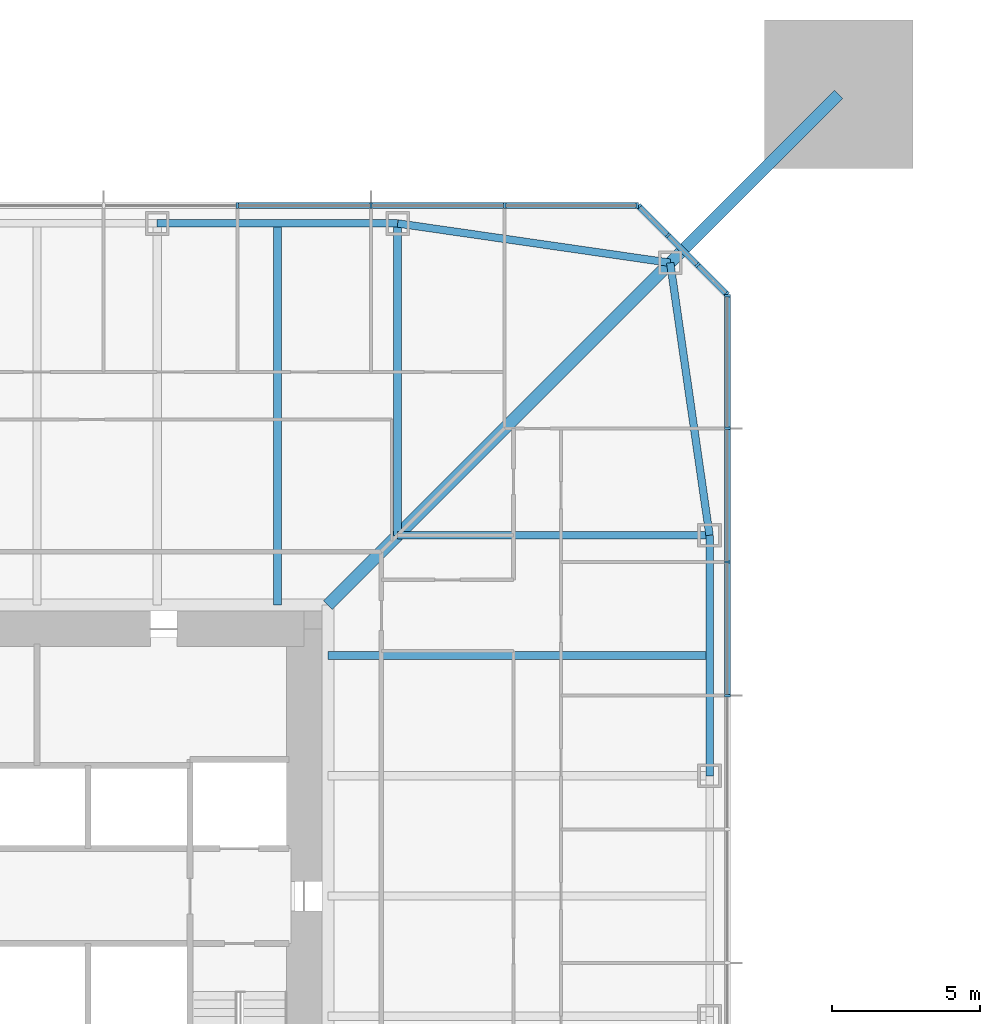
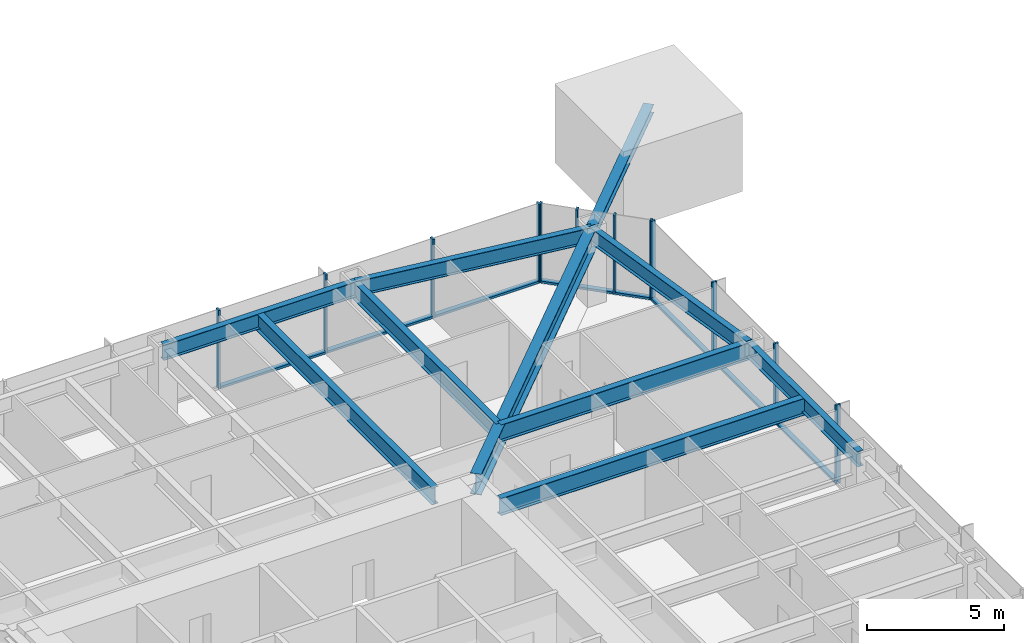
# One storey, part 7 of 26: 22 members, 9 beams, 3 elements without a shape of their own.
"""IFC4 building model written with IfcOpenShell, lengths in metres."""

from ifc_helpers import new_model, si_unit, direction, frame, origin, origin_2d, place, context, subcontext, project, spatial, rectangle, i_section, extrude, material, material_profile, profile_set, type_object, element, aggregate, save


model = new_model("IFC4")

# Units and contexts
model_context = context("Model", 3, precision=1e-05, world=origin(), true_north=direction((0.0, 1.0)))
body_context = subcontext(model_context, "Body", "Model", "MODEL_VIEW")
ifc_project = project(units=[si_unit("LENGTHUNIT", "METRE"), si_unit("AREAUNIT", "SQUARE_METRE"), si_unit("VOLUMEUNIT", "CUBIC_METRE"), si_unit("PLANEANGLEUNIT", "RADIAN"), si_unit("MASSUNIT", "GRAM", prefix="KILO")], contexts=[model_context])

# Site, building, storey
site_placement = place(None, origin())
site = spatial("IfcSite", under=ifc_project, at=site_placement, CompositionType="ELEMENT")
building_placement = place(site_placement, origin())
building = spatial("IfcBuilding", under=site, at=building_placement, Name="Iwan Alto Co-Living Towers", CompositionType="ELEMENT")
storey_placement = place(building_placement, frame((0.0, 0.0, 18.5)))
storey = spatial("IfcBuildingStorey", under=building, at=storey_placement, Name="L04", CompositionType="ELEMENT", Elevation=18.5)

# Curtain wall, members
ifc_material_1 = material(Name="Bronze aluminium unitised frame", Category="aluminium")
curtain_wall_type_1 = type_object("IfcCurtainWallType", Name="CURTAIN WALL CW-A", PredefinedType="NOTDEFINED", material=ifc_material_1)
curtain_wall_1_placement = place(storey_placement, origin())
curtain_wall_1 = element("IfcCurtainWall", 1, at=curtain_wall_1_placement, inside=storey, type_object=curtain_wall_type_1, Name="T1 curtain wall E L04", PredefinedType="NOTDEFINED")
ifc_material_2 = material(Name="Aluminium 6063-T6 bronze anodised", Category="aluminium")
ifc_material_profile_1 = material_profile(ifc_material_2, rectangle(XDim=0.199951171875, YDim=0.080078125, at=origin_2d()), Name="AL 80X200")
ifc_profile_set_1 = profile_set([ifc_material_profile_1], Name="Aluminium 6063-T6 bronze anodised")
member_type_1 = type_object("IfcMemberType", Name="CW-A MULLION 80X200", PredefinedType="MULLION", material=ifc_profile_set_1)
member_1_placement = place(storey_placement, frame((23.25, 6.75, 0.0), z_axis=(0.0, 0.0, 1.0), x_axis=(-1.0, 0.0, 0.0)))
member_1 = element("IfcMember", 2, at=member_1_placement, type_object=member_type_1, Name="CW-A mullion 7", PredefinedType="MULLION", context=body_context, shape_type="SweptSolid", body=[
    extrude(rectangle(XDim=0.199951171875, YDim=0.080078125, at=origin_2d()), origin(), (0.0, 0.0, 1.0), 3.5),
])
member_2_placement = place(storey_placement, frame((23.25, 11.25, 0.0), z_axis=(0.0, 0.0, 1.0), x_axis=(-1.0, 0.0, 0.0)))
member_2 = element("IfcMember", 3, at=member_2_placement, type_object=member_type_1, Name="CW-A mullion 8", PredefinedType="MULLION", context=body_context, shape_type="SweptSolid", body=[
    extrude(rectangle(XDim=0.199951171875, YDim=0.080078125, at=origin_2d()), origin(), (0.0, 0.0, 1.0), 3.5),
])
member_3_placement = place(storey_placement, frame((23.25, 15.75, 0.0), z_axis=(0.0, 0.0, 1.0), x_axis=(-1.0, 0.0, 0.0)))
member_3 = element("IfcMember", 4, at=member_3_placement, type_object=member_type_1, Name="CW-A mullion 9", PredefinedType="MULLION", context=body_context, shape_type="SweptSolid", body=[
    extrude(rectangle(XDim=0.199951171875, YDim=0.080078125, at=origin_2d()), origin(), (0.0, 0.0, 1.0), 3.5),
])
member_4_placement = place(storey_placement, frame((23.25, 20.2099609375, 0.0), z_axis=(0.0, 0.0, 1.0), x_axis=(-1.0, 0.0, 0.0)))
member_4 = element("IfcMember", 5, at=member_4_placement, type_object=member_type_1, Name="CW-A mullion 10", PredefinedType="MULLION", context=body_context, shape_type="SweptSolid", body=[
    extrude(rectangle(XDim=0.199951171875, YDim=0.080078125, at=origin_2d()), origin(), (0.0, 0.0, 1.0), 3.5),
])

curtain_wall_2_placement = place(storey_placement, origin())
curtain_wall_2 = element("IfcCurtainWall", 6, at=curtain_wall_2_placement, inside=storey, type_object=curtain_wall_type_1, Name="T1 curtain wall N L04", PredefinedType="NOTDEFINED")
member_5_placement = place(storey_placement, frame((20.2099609375, 23.25, 0.0), z_axis=(0.0, 0.0, 1.0), x_axis=(0.0, -1.0, 0.0)))
member_5 = element("IfcMember", 7, at=member_5_placement, type_object=member_type_1, Name="CW-A mullion 1", PredefinedType="MULLION", context=body_context, shape_type="SweptSolid", body=[
    extrude(rectangle(XDim=0.199951171875, YDim=0.080078125, at=origin_2d()), origin(), (0.0, 0.0, 1.0), 3.5),
])
member_6_placement = place(storey_placement, frame((15.75, 23.25, 0.0), z_axis=(0.0, 0.0, 1.0), x_axis=(0.0, -1.0, 0.0)))
member_6 = element("IfcMember", 8, at=member_6_placement, type_object=member_type_1, Name="CW-A mullion 2", PredefinedType="MULLION", context=body_context, shape_type="SweptSolid", body=[
    extrude(rectangle(XDim=0.199951171875, YDim=0.080078125, at=origin_2d()), origin(), (0.0, 0.0, 1.0), 3.5),
])
member_7_placement = place(storey_placement, frame((11.25, 23.25, 0.0), z_axis=(0.0, 0.0, 1.0), x_axis=(0.0, -1.0, 0.0)))
member_7 = element("IfcMember", 9, at=member_7_placement, type_object=member_type_1, Name="CW-A mullion 3", PredefinedType="MULLION", context=body_context, shape_type="SweptSolid", body=[
    extrude(rectangle(XDim=0.199951171875, YDim=0.080078125, at=origin_2d()), origin(), (0.0, 0.0, 1.0), 3.5),
])
member_8_placement = place(storey_placement, frame((6.75, 23.25, 0.0), z_axis=(0.0, 0.0, 1.0), x_axis=(0.0, -1.0, 0.0)))
member_8 = element("IfcMember", 10, at=member_8_placement, type_object=member_type_1, Name="CW-A mullion 4", PredefinedType="MULLION", context=body_context, shape_type="SweptSolid", body=[
    extrude(rectangle(XDim=0.199951171875, YDim=0.080078125, at=origin_2d()), origin(), (0.0, 0.0, 1.0), 3.5),
])

# Member
ifc_material_3 = material(Name="Aluminium 6063-T6 bronze anodised", Category="aluminium")
ifc_material_profile_2 = material_profile(ifc_material_3, rectangle(XDim=0.199951171875, YDim=0.10009765625, at=origin_2d()), Name="AL 200X100")
ifc_profile_set_2 = profile_set([ifc_material_profile_2], Name="Aluminium 6063-T6 bronze anodised")
member_type_2 = type_object("IfcMemberType", Name="CW-A TRANSOM 200X100", PredefinedType="USERDEFINED", material=ifc_profile_set_2)
member_9_placement = place(storey_placement, frame((23.25, 6.7900390625, 0.050048828125), z_axis=(0.0, 1.0, 0.0), x_axis=(-1.0, 0.0, 0.0)))
member_9 = element("IfcMember", 11, at=member_9_placement, type_object=member_type_2, Name="CW-A transom 7.1", ObjectType="TRANSOM", PredefinedType="USERDEFINED", context=body_context, shape_type="SweptSolid", body=[
    extrude(rectangle(XDim=0.199951171875, YDim=0.10009765625, at=origin_2d()), origin(), (0.0, 0.0, 1.0), 4.419921875),
])

member_10_placement = place(storey_placement, frame((23.25, 11.2900390625, 0.050048828125), z_axis=(0.0, 1.0, 0.0), x_axis=(-1.0, 0.0, 0.0)))
member_10 = element("IfcMember", 12, at=member_10_placement, type_object=member_type_2, Name="CW-A transom 8.1", ObjectType="TRANSOM", PredefinedType="USERDEFINED", context=body_context, shape_type="SweptSolid", body=[
    extrude(rectangle(XDim=0.199951171875, YDim=0.10009765625, at=origin_2d()), origin(), (0.0, 0.0, 1.0), 4.419921875),
])

member_11_placement = place(storey_placement, frame((23.25, 15.7900390625, 0.050048828125), z_axis=(0.0, 1.0, 0.0), x_axis=(-1.0, 0.0, 0.0)))
member_11 = element("IfcMember", 13, at=member_11_placement, type_object=member_type_2, Name="CW-A transom 9.1", ObjectType="TRANSOM", PredefinedType="USERDEFINED", context=body_context, shape_type="SweptSolid", body=[
    extrude(rectangle(XDim=0.199951171875, YDim=0.10009765625, at=origin_2d()), origin(), (0.0, 0.0, 1.0), 4.3798828125),
])

aggregate(curtain_wall_1, [member_1, member_2, member_3, member_4, member_9, member_10, member_11])

member_12_placement = place(storey_placement, frame((20.169921875, 23.25, 0.050048828125), z_axis=(-1.0, 0.0, 0.0), x_axis=(0.0, -1.0, 0.0)))
member_12 = element("IfcMember", 14, at=member_12_placement, type_object=member_type_2, Name="CW-A transom 1.1", ObjectType="TRANSOM", PredefinedType="USERDEFINED", context=body_context, shape_type="SweptSolid", body=[
    extrude(rectangle(XDim=0.199951171875, YDim=0.10009765625, at=origin_2d()), origin(), (0.0, 0.0, 1.0), 4.3798828125),
])

member_13_placement = place(storey_placement, frame((15.7099609375, 23.25, 0.050048828125), z_axis=(-1.0, 0.0, 0.0), x_axis=(0.0, -1.0, 0.0)))
member_13 = element("IfcMember", 15, at=member_13_placement, type_object=member_type_2, Name="CW-A transom 2.1", ObjectType="TRANSOM", PredefinedType="USERDEFINED", context=body_context, shape_type="SweptSolid", body=[
    extrude(rectangle(XDim=0.199951171875, YDim=0.10009765625, at=origin_2d()), origin(), (0.0, 0.0, 1.0), 4.419921875),
])

member_14_placement = place(storey_placement, frame((11.2099609375, 23.25, 0.050048828125), z_axis=(-1.0, 0.0, 0.0), x_axis=(0.0, -1.0, 0.0)))
member_14 = element("IfcMember", 16, at=member_14_placement, type_object=member_type_2, Name="CW-A transom 3.1", ObjectType="TRANSOM", PredefinedType="USERDEFINED", context=body_context, shape_type="SweptSolid", body=[
    extrude(rectangle(XDim=0.199951171875, YDim=0.10009765625, at=origin_2d()), origin(), (0.0, 0.0, 1.0), 4.419921875),
])

aggregate(curtain_wall_2, [member_5, member_6, member_7, member_8, member_12, member_13, member_14])

# Curtain wall, members
ifc_material_4 = material(Name="Bronze aluminium unitised frame", Category="aluminium")
curtain_wall_type_2 = type_object("IfcCurtainWallType", Name="CURTAIN WALL CW-B", PredefinedType="NOTDEFINED", material=ifc_material_4)
curtain_wall_3_placement = place(storey_placement, origin())
curtain_wall_3 = element("IfcCurtainWall", 17, at=curtain_wall_3_placement, inside=storey, type_object=curtain_wall_type_2, Name="T1 chamfer curtain wall NE L04", PredefinedType="NOTDEFINED")
ifc_material_5 = material(Name="Aluminium 6063-T6 bronze anodised", Category="aluminium")
ifc_material_profile_3 = material_profile(ifc_material_5, rectangle(XDim=0.199951171875, YDim=0.080078125, at=origin_2d()), Name="AL 80X200")
ifc_profile_set_3 = profile_set([ifc_material_profile_3], Name="Aluminium 6063-T6 bronze anodised")
member_type_3 = type_object("IfcMemberType", Name="CW-B MULLION 80X200", PredefinedType="MULLION", material=ifc_profile_set_3)
member_15_placement = place(storey_placement, frame((23.2216796875, 20.2783203125, 0.0), z_axis=(0.0, 0.0, 1.0), x_axis=(-0.707106781187, -0.707106781187, 0.0)))
member_15 = element("IfcMember", 18, at=member_15_placement, type_object=member_type_3, Name="CW-B mullion 1", PredefinedType="MULLION", context=body_context, shape_type="SweptSolid", body=[
    extrude(rectangle(XDim=0.199951171875, YDim=0.080078125, at=origin_2d()), origin(), (0.0, 0.0, 1.0), 3.5),
])
member_16_placement = place(storey_placement, frame((22.25, 21.25, 0.0), z_axis=(0.0, 0.0, 1.0), x_axis=(-0.707106781187, -0.707106781187, 0.0)))
member_16 = element("IfcMember", 19, at=member_16_placement, type_object=member_type_3, Name="CW-B mullion 2", PredefinedType="MULLION", context=body_context, shape_type="SweptSolid", body=[
    extrude(rectangle(XDim=0.199951171875, YDim=0.080078125, at=origin_2d()), origin(), (0.0, 0.0, 1.0), 3.5),
])
member_17_placement = place(storey_placement, frame((21.25, 22.25, 0.0), z_axis=(0.0, 0.0, 1.0), x_axis=(-0.707106781187, -0.707106781187, 0.0)))
member_17 = element("IfcMember", 20, at=member_17_placement, type_object=member_type_3, Name="CW-B mullion 3", PredefinedType="MULLION", context=body_context, shape_type="SweptSolid", body=[
    extrude(rectangle(XDim=0.199951171875, YDim=0.080078125, at=origin_2d()), origin(), (0.0, 0.0, 1.0), 3.5),
])
member_18_placement = place(storey_placement, frame((20.2783203125, 23.2216796875, 0.0), z_axis=(0.0, 0.0, 1.0), x_axis=(-0.707106781187, -0.707106781187, 0.0)))
member_18 = element("IfcMember", 21, at=member_18_placement, type_object=member_type_3, Name="CW-B mullion 4", PredefinedType="MULLION", context=body_context, shape_type="SweptSolid", body=[
    extrude(rectangle(XDim=0.199951171875, YDim=0.080078125, at=origin_2d()), origin(), (0.0, 0.0, 1.0), 3.5),
])
ifc_material_6 = material(Name="Aluminium 6063-T6 bronze anodised", Category="aluminium")
ifc_material_profile_4 = material_profile(ifc_material_6, rectangle(XDim=0.199951171875, YDim=0.10009765625, at=origin_2d()), Name="AL 200X100")
ifc_profile_set_4 = profile_set([ifc_material_profile_4], Name="Aluminium 6063-T6 bronze anodised")
member_type_4 = type_object("IfcMemberType", Name="CW-B TRANSOM 200X100", PredefinedType="USERDEFINED", material=ifc_profile_set_4)
member_19_placement = place(storey_placement, frame((23.193359375, 20.306640625, 0.050048828125), z_axis=(-0.707106781187, 0.707106781187, 0.0), x_axis=(-0.707106781187, -0.707106781187, 0.0)))
member_19 = element("IfcMember", 22, at=member_19_placement, type_object=member_type_4, Name="CW-B transom 1.1", ObjectType="TRANSOM", PredefinedType="USERDEFINED", context=body_context, shape_type="SweptSolid", body=[
    extrude(rectangle(XDim=0.199951171875, YDim=0.10009765625, at=origin_2d()), origin(), (0.0, 0.0, 1.0), 1.2939453125),
])
member_20_placement = place(storey_placement, frame((22.2216796875, 21.2783203125, 0.050048828125), z_axis=(-0.707106781187, 0.707106781187, 0.0), x_axis=(-0.707106781187, -0.707106781187, 0.0)))
member_20 = element("IfcMember", 23, at=member_20_placement, type_object=member_type_4, Name="CW-B transom 2.1", ObjectType="TRANSOM", PredefinedType="USERDEFINED", context=body_context, shape_type="SweptSolid", body=[
    extrude(rectangle(XDim=0.199951171875, YDim=0.10009765625, at=origin_2d()), origin(), (0.0, 0.0, 1.0), 1.334228515625),
])
member_21_placement = place(storey_placement, frame((21.2216796875, 22.2783203125, 0.050048828125), z_axis=(-0.707106781187, 0.707106781187, 0.0), x_axis=(-0.707106781187, -0.707106781187, 0.0)))
member_21 = element("IfcMember", 24, at=member_21_placement, type_object=member_type_4, Name="CW-B transom 3.1", ObjectType="TRANSOM", PredefinedType="USERDEFINED", context=body_context, shape_type="SweptSolid", body=[
    extrude(rectangle(XDim=0.199951171875, YDim=0.10009765625, at=origin_2d()), origin(), (0.0, 0.0, 1.0), 1.2939453125),
])
aggregate(curtain_wall_3, [member_15, member_16, member_17, member_18, member_19, member_20, member_21])

# Beams
ifc_material_7 = material(Name="Steel ASTM A992 Gr 50", Category="steel")
ifc_material_profile_5 = material_profile(ifc_material_7, i_section(OverallWidth=0.419189453125, OverallDepth=0.927001953125, WebThickness=0.019287109375, FlangeThickness=0.031982421875, at=origin_2d()), Name="W36X231")
ifc_profile_set_5 = profile_set([ifc_material_profile_5], Name="Steel ASTM A992 Gr 50")
beam_type_1 = type_object("IfcBeamType", Name="T1 CORNER GIRDER W36X231", PredefinedType="BEAM", material=ifc_profile_set_5)
beam_1_placement = place(storey_placement, frame((21.32568359375, 21.32568359375, 2.806396484375), z_axis=(-0.707106781187, -0.707106781187, 0.0), x_axis=(0.707106781187, -0.707106781187, 0.0)))
element("IfcBeam", 25, at=beam_1_placement, inside=storey, type_object=beam_type_1, Name="T1 corner girder CNE L05", PredefinedType="BEAM", context=body_context, shape_type="SweptSolid", body=[
    extrude(i_section(OverallWidth=0.419189453125, OverallDepth=0.927001953125, WebThickness=0.019287109375, FlangeThickness=0.031982421875, at=origin_2d()), origin(), (0.0, 0.0, 1.0), 16.296875),
])
ifc_material_8 = material(Name="Steel ASTM A992 Gr 50", Category="steel")
ifc_material_profile_6 = material_profile(ifc_material_8, i_section(OverallWidth=0.25390625, OverallDepth=0.683349609375, WebThickness=0.012451171875, FlangeThickness=0.018798828125, at=origin_2d()), Name="W27X94")
ifc_profile_set_6 = profile_set([ifc_material_profile_6], Name="Steel ASTM A992 Gr 50")
beam_type_2 = type_object("IfcBeamType", Name="T1 EDGE BEAM W27X94", PredefinedType="BEAM", material=ifc_profile_set_6)
beam_2_placement = place(storey_placement, frame((22.64990234375, 4.050048828125, 2.928466796875), z_axis=(0.0, 1.0, 0.0), x_axis=(-1.0, 0.0, 0.0)))
element("IfcBeam", 26, at=beam_2_placement, inside=storey, type_object=beam_type_2, Name="T1 edge beam E3 L05", PredefinedType="BEAM", context=body_context, shape_type="SweptSolid", body=[
    extrude(i_section(OverallWidth=0.25390625, OverallDepth=0.683349609375, WebThickness=0.012451171875, FlangeThickness=0.018798828125, at=origin_2d()), origin(), (0.0, 0.0, 1.0), 8.099853515625),
])
for number, where, z_axis, x_axis, name in (
    (27, (22.64990234375, 12.14990234375, 2.928466796875), (-0.142836940589, 0.989746234347, 0.0), (-0.989746234347, -0.142836940589, 0.0), "T1 edge beam E4 L05"),
    (28, (21.32568359375, 21.32568359375, 2.928466796875), (-0.989746234347, 0.142836940589, 0.0), (-0.142836940589, -0.989746234347, 0.0), "T1 edge beam CNE L05"),
):
    element("IfcBeam", number, at=place(storey_placement, frame(where, z_axis=z_axis, x_axis=x_axis)), inside=storey, type_object=beam_type_2, Name=name, PredefinedType="BEAM", context=body_context, shape_type="SweptSolid", body=[
        extrude(i_section(OverallWidth=0.25390625, OverallDepth=0.683349609375, WebThickness=0.012451171875, FlangeThickness=0.018798828125, at=origin_2d()), origin(), (0.0, 0.0, 1.0), 9.270751953125),
    ])
beam_3_placement = place(storey_placement, frame((12.14990234375, 22.64990234375, 2.928466796875), z_axis=(-1.0, 0.0, 0.0), x_axis=(0.0, -1.0, 0.0)))
element("IfcBeam", 29, at=beam_3_placement, inside=storey, type_object=beam_type_2, Name="T1 edge beam N1 L05", PredefinedType="BEAM", context=body_context, shape_type="SweptSolid", body=[
    extrude(i_section(OverallWidth=0.25390625, OverallDepth=0.683349609375, WebThickness=0.012451171875, FlangeThickness=0.018798828125, at=origin_2d()), origin(), (0.0, 0.0, 1.0), 8.099853515625),
])

# Member
ifc_material_9 = material(Name="Steel ASTM A992 Gr 50", Category="steel")
ifc_material_profile_7 = material_profile(ifc_material_9, i_section(OverallWidth=0.393798828125, OverallDepth=0.3759765625, WebThickness=0.017333984375, FlangeThickness=0.027587890625, at=origin_2d()), Name="W14X145")
ifc_profile_set_7 = profile_set([ifc_material_profile_7], Name="Steel ASTM A992 Gr 50")
member_type_5 = type_object("IfcMemberType", Name="T1 MEGA COLUMN FLOOR TIE W14X145", PredefinedType="STRUT", material=ifc_profile_set_7)
member_22_placement = place(storey_placement, frame((27.0, 27.0, 3.08203125), z_axis=(-0.707106781187, -0.707106781187, 0.0), x_axis=(0.707106781187, -0.707106781187, 0.0)))
element("IfcMember", 30, at=member_22_placement, inside=storey, type_object=member_type_5, Name="T1 mega column floor tie NE L05", PredefinedType="STRUT", context=body_context, shape_type="SweptSolid", body=[
    extrude(i_section(OverallWidth=0.393798828125, OverallDepth=0.3759765625, WebThickness=0.017333984375, FlangeThickness=0.027587890625, at=origin_2d()), origin(), (0.0, 0.0, 1.0), 8.024658203125),
])

# Beams
ifc_material_10 = material(Name="Steel ASTM A992 Gr 50", Category="steel")
ifc_material_profile_8 = material_profile(ifc_material_10, i_section(OverallWidth=0.2666015625, OverallDepth=0.761962890625, WebThickness=0.014404296875, FlangeThickness=0.021484375, at=origin_2d()), Name="W30X116")
ifc_profile_set_8 = profile_set([ifc_material_profile_8], Name="Steel ASTM A992 Gr 50")
beam_type_3 = type_object("IfcBeamType", Name="T1 RADIAL BEAM W30X116", PredefinedType="BEAM", material=ifc_profile_set_8)
for number, where, z_axis, x_axis, name in (
    (31, (22.64990234375, 12.14990234375, 2.888916015625), (-1.0, 0.0, 0.0), (0.0, -1.0, 0.0), "T1 radial beam E4 L05"),
    (32, (12.14990234375, 22.64990234375, 2.888916015625), (0.0, -1.0, 0.0), (1.0, 0.0, 0.0), "T1 radial beam N1 L05"),
):
    element("IfcBeam", number, at=place(storey_placement, frame(where, z_axis=z_axis, x_axis=x_axis)), inside=storey, type_object=beam_type_3, Name=name, PredefinedType="BEAM", context=body_context, shape_type="SweptSolid", body=[
        extrude(i_section(OverallWidth=0.2666015625, OverallDepth=0.761962890625, WebThickness=0.014404296875, FlangeThickness=0.021484375, at=origin_2d()), origin(), (0.0, 0.0, 1.0), 10.5),
    ])
ifc_material_11 = material(Name="Steel ASTM A992 Gr 50", Category="steel")
ifc_material_profile_9 = material_profile(ifc_material_11, i_section(OverallWidth=0.2666015625, OverallDepth=0.761962890625, WebThickness=0.014404296875, FlangeThickness=0.021484375, at=origin_2d()), Name="W30X116")
ifc_profile_set_9 = profile_set([ifc_material_profile_9], Name="Steel ASTM A992 Gr 50")
beam_type_4 = type_object("IfcBeamType", Name="T1 SECONDARY BEAM W30X116", PredefinedType="JOIST", material=ifc_profile_set_9)
for number, where, z_axis, x_axis, name in (
    (33, (22.64990234375, 8.10009765625, 2.888916015625), (-1.0, 0.0, 0.0), (0.0, -1.0, 0.0), "T1 secondary beam E3 L05"),
    (34, (8.10009765625, 22.64990234375, 2.888916015625), (0.0, -1.0, 0.0), (1.0, 0.0, 0.0), "T1 secondary beam N1 L05"),
):
    element("IfcBeam", number, at=place(storey_placement, frame(where, z_axis=z_axis, x_axis=x_axis)), inside=storey, type_object=beam_type_4, Name=name, PredefinedType="JOIST", context=body_context, shape_type="SweptSolid", body=[
        extrude(i_section(OverallWidth=0.2666015625, OverallDepth=0.761962890625, WebThickness=0.014404296875, FlangeThickness=0.021484375, at=origin_2d()), origin(), (0.0, 0.0, 1.0), 12.847900390625),
    ])

save(model, "model.ifc")
